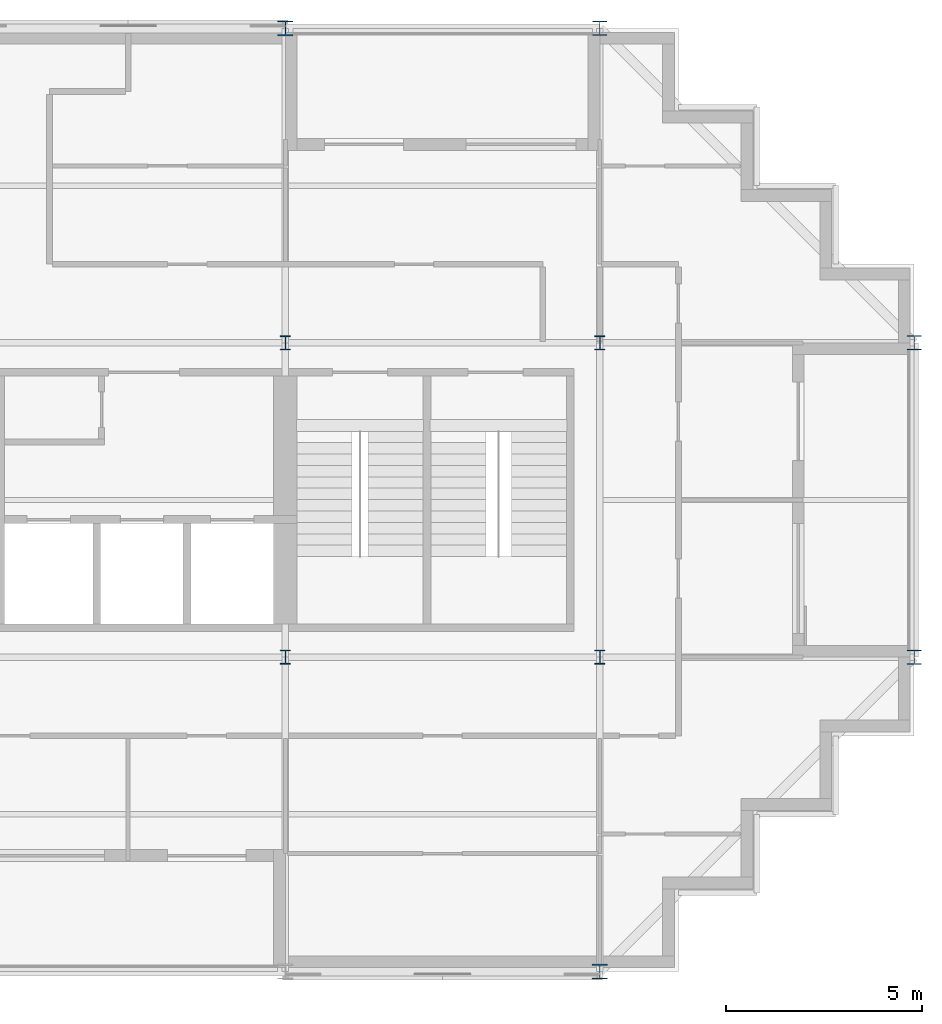
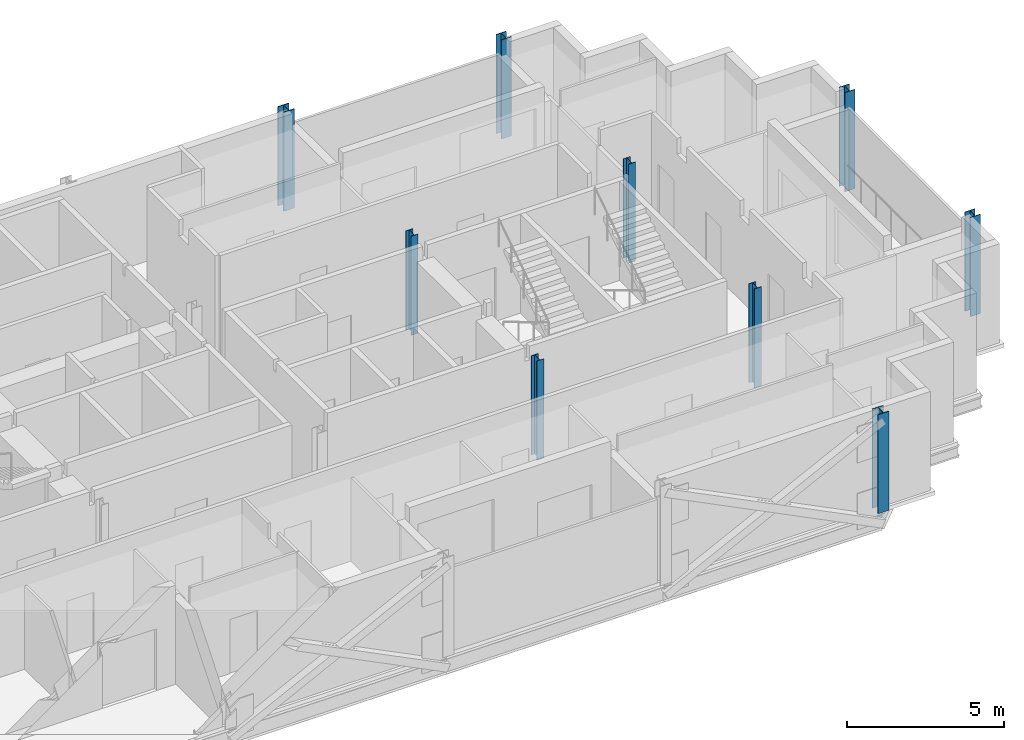
# One storey, part 2 of 9: 9 columns.
"""IFC4 building model written with IfcOpenShell, lengths in metres."""

from ifc_helpers import new_model, si_unit, direction, frame, origin, origin_2d, place, context, subcontext, project, spatial, i_section, extrude, material, material_profile, profile_set, type_object, element, save


model = new_model("IFC4")

# Units and contexts
model_context = context("Model", 3, precision=1e-05, world=origin(), true_north=direction((0.0, 1.0)))
body_context = subcontext(model_context, "Body", "Model", "MODEL_VIEW")
ifc_project = project(units=[si_unit("LENGTHUNIT", "METRE"), si_unit("AREAUNIT", "SQUARE_METRE"), si_unit("VOLUMEUNIT", "CUBIC_METRE"), si_unit("PLANEANGLEUNIT", "RADIAN"), si_unit("MASSUNIT", "GRAM", prefix="KILO")], contexts=[model_context])

# Site, building, storey
site_placement = place(None, origin())
site = spatial("IfcSite", under=ifc_project, at=site_placement, CompositionType="ELEMENT")
building_placement = place(site_placement, origin())
building = spatial("IfcBuilding", under=site, at=building_placement, Name="Immortelle Media Tower", CompositionType="ELEMENT")
storey_placement = place(building_placement, frame((0.0, 0.0, 287.0)))
storey = spatial("IfcBuildingStorey", under=building, at=storey_placement, Name="L63", CompositionType="ELEMENT", Elevation=287.0)

# Columns
ifc_material = material(Name="Steel ASTM A992 Gr 50", Category="steel")
ifc_material_profile_1 = material_profile(ifc_material, i_section(OverallWidth=0.373046875, OverallDepth=0.367919921875, WebThickness=0.014892578125, FlangeThickness=0.02392578125, at=origin_2d()), Name="W14x120")
ifc_profile_set_1 = profile_set([ifc_material_profile_1], Name="Steel ASTM A992 Gr 50")
column_type_1 = type_object("IfcColumnType", Name="W14x120 column", PredefinedType="COLUMN", material=ifc_profile_set_1)
for number, where, z_axis, x_axis, name in (
    (1, (40.0, 24.0, 0.0), (0.0, 0.0, 1.0), (1.0, 0.0, 0.0), "Column 6/D"),
    (2, (48.0, 8.0, 0.0), (0.0, 0.0, 1.0), (1.0, 0.0, 0.0), "Column 7/B"),
    (3, (48.0, 16.0, 0.0), (0.0, 0.0, 1.0), (1.0, 0.0, 0.0), "Column 7/C"),
):
    element("IfcColumn", number, at=place(storey_placement, frame(where, z_axis=z_axis, x_axis=x_axis)), inside=storey, type_object=column_type_1, Name=name, PredefinedType="COLUMN", context=body_context, shape_type="SweptSolid", body=[
        extrude(i_section(OverallWidth=0.373046875, OverallDepth=0.367919921875, WebThickness=0.014892578125, FlangeThickness=0.02392578125, at=origin_2d()), origin(), (0.0, 0.0, 1.0), 3.85009765625),
    ])
ifc_material_profile_2 = material_profile(ifc_material, i_section(OverallWidth=0.39892578125, OverallDepth=0.385986328125, WebThickness=0.02099609375, FlangeThickness=0.032958984375, at=origin_2d()), Name="W14x176")
ifc_profile_set_2 = profile_set([ifc_material_profile_2], Name="Steel ASTM A992 Gr 50")
column_type_2 = type_object("IfcColumnType", Name="W14x176 column", PredefinedType="COLUMN", material=ifc_profile_set_2)
for number, where, z_axis, x_axis, name in (
    (4, (32.0, 24.0, 0.0), (0.0, 0.0, 1.0), (1.0, 0.0, 0.0), "Column 5/D"),
    (5, (40.0, 0.0, 0.0), (0.0, 0.0, 1.0), (1.0, 0.0, 0.0), "Column 6/A"),
):
    element("IfcColumn", number, at=place(storey_placement, frame(where, z_axis=z_axis, x_axis=x_axis)), inside=storey, type_object=column_type_2, Name=name, PredefinedType="COLUMN", context=body_context, shape_type="SweptSolid", body=[
        extrude(i_section(OverallWidth=0.39892578125, OverallDepth=0.385986328125, WebThickness=0.02099609375, FlangeThickness=0.032958984375, at=origin_2d()), origin(), (0.0, 0.0, 1.0), 3.85009765625),
    ])
ifc_material_profile_3 = material_profile(ifc_material, i_section(OverallWidth=0.257080078125, OverallDepth=0.363037109375, WebThickness=0.012939453125, FlangeThickness=0.02197265625, at=origin_2d()), Name="W14x82")
ifc_profile_set_3 = profile_set([ifc_material_profile_3], Name="Steel ASTM A992 Gr 50")
column_type_3 = type_object("IfcColumnType", Name="W14x82 column", PredefinedType="COLUMN", material=ifc_profile_set_3)
for number, where, z_axis, x_axis, name in (
    (6, (32.0, 8.0, 0.0), (0.0, 0.0, 1.0), (1.0, 0.0, 0.0), "Column 5/B"),
    (7, (32.0, 16.0, 0.0), (0.0, 0.0, 1.0), (1.0, 0.0, 0.0), "Column 5/C"),
    (8, (40.0, 8.0, 0.0), (0.0, 0.0, 1.0), (1.0, 0.0, 0.0), "Column 6/B"),
    (9, (40.0, 16.0, 0.0), (0.0, 0.0, 1.0), (1.0, 0.0, 0.0), "Column 6/C"),
):
    element("IfcColumn", number, at=place(storey_placement, frame(where, z_axis=z_axis, x_axis=x_axis)), inside=storey, type_object=column_type_3, Name=name, PredefinedType="COLUMN", context=body_context, shape_type="SweptSolid", body=[
        extrude(i_section(OverallWidth=0.257080078125, OverallDepth=0.363037109375, WebThickness=0.012939453125, FlangeThickness=0.02197265625, at=origin_2d()), origin(), (0.0, 0.0, 1.0), 3.85009765625),
    ])

save(model, "model.ifc")
